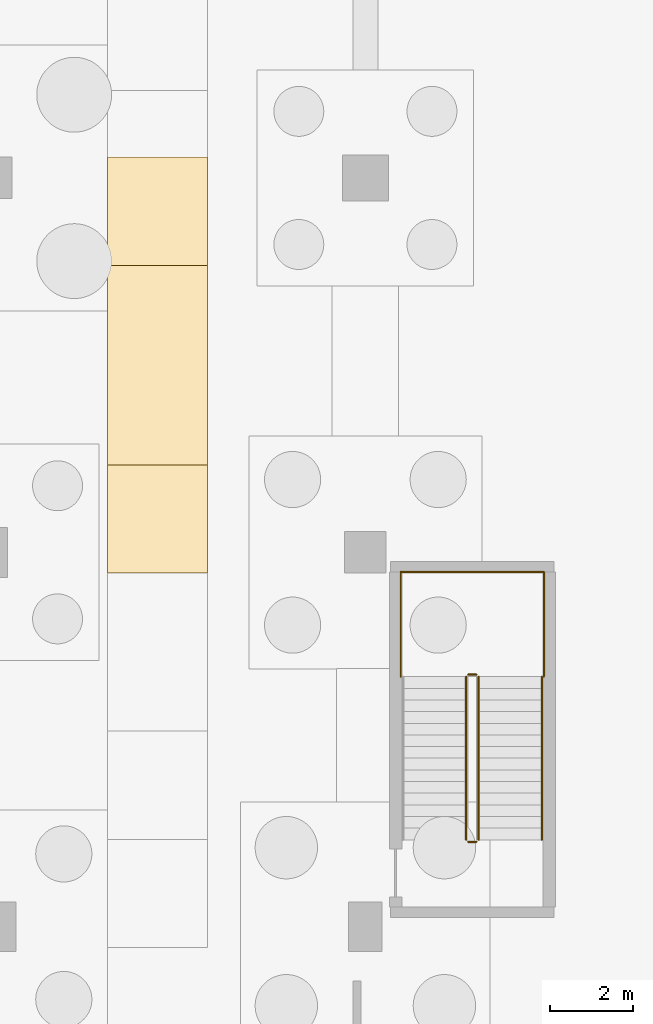
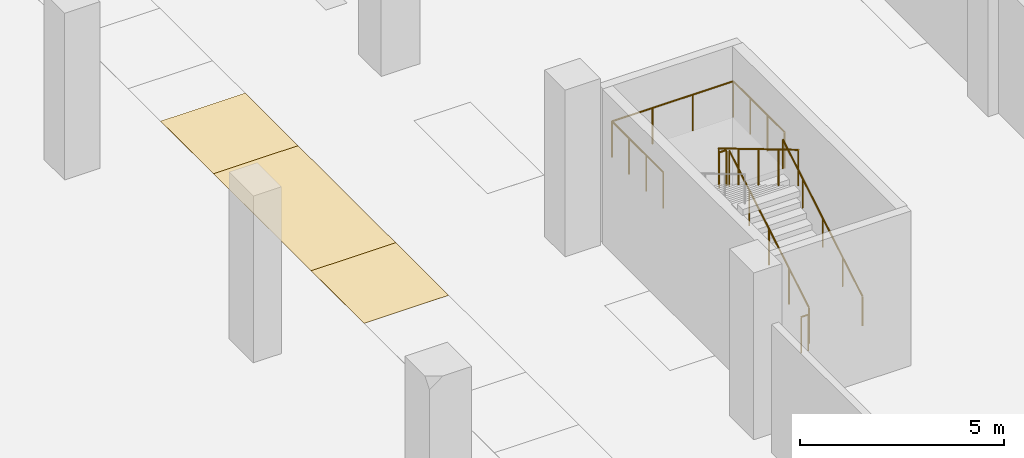
# One storey, part 28 of 37: 8 railings, 3 coverings.
"""IFC4 building model written with IfcOpenShell, lengths in metres."""

from ifc_helpers import new_model, si_unit, direction, frame, origin, origin_2d, place, context, subcontext, project, spatial, polyline, circle, outline, extrude, material, layer, layer_set, type_object, element, save


model = new_model("IFC4")

# Units and contexts
model_context = context("Model", 3, precision=1e-05, world=origin(), true_north=direction((0.0, 1.0)))
body_context = subcontext(model_context, "Body", "Model", "MODEL_VIEW")
ifc_project = project(units=[si_unit("LENGTHUNIT", "METRE"), si_unit("AREAUNIT", "SQUARE_METRE"), si_unit("VOLUMEUNIT", "CUBIC_METRE"), si_unit("PLANEANGLEUNIT", "RADIAN"), si_unit("MASSUNIT", "GRAM", prefix="KILO")], contexts=[model_context])

# Site, building, storey
site_placement = place(None, origin())
site = spatial("IfcSite", under=ifc_project, at=site_placement, CompositionType="ELEMENT")
building_placement = place(site_placement, origin())
building = spatial("IfcBuilding", under=site, at=building_placement, Name="Barlavento Convention Centre", CompositionType="ELEMENT")
storey_placement = place(building_placement, frame((0.0, 0.0, -5.0)))
storey = spatial("IfcBuildingStorey", under=building, at=storey_placement, Name="B1", CompositionType="ELEMENT", Elevation=-5.0)

# Coverings
ifc_material_1 = material(Name="Thermoplastic reflective bay marking")
ifc_layer = layer(ifc_material_1, 0.0048828125)
ifc_layer_set = layer_set([ifc_layer], Name="ARC-COV-PARK-BAY")
covering_type = type_object("IfcCoveringType", Name="ARC-COV-PARK-BAY", PredefinedType="FLOORING", material=ifc_layer_set)
covering_1_placement = place(storey_placement, origin())
element("IfcCovering", 1, at=covering_1_placement, inside=storey, type_object=covering_type, Name="Standard parking bay marking PK-008", PredefinedType="FLOORING", context=body_context, shape_type="SweptSolid", body=[
    extrude(outline(polyline([(173.800048828125, 17.5), (176.199951171875, 17.5), (176.199951171875, 22.300048828125), (173.800048828125, 22.300048828125), (173.800048828125, 17.5)])), origin(), (0.0, 0.0, 1.0), 0.0048828125),
])
covering_2_placement = place(storey_placement, origin())
element("IfcCovering", 2, at=covering_2_placement, inside=storey, type_object=covering_type, Name="Standard parking bay marking PK-010", PredefinedType="FLOORING", context=body_context, shape_type="SweptSolid", body=[
    extrude(outline(polyline([(173.800048828125, 20.10009765625), (176.199951171875, 20.10009765625), (176.199951171875, 24.89990234375), (173.800048828125, 24.89990234375), (173.800048828125, 20.10009765625)])), origin(), (0.0, 0.0, 1.0), 0.0048828125),
])
covering_3_placement = place(storey_placement, origin())
element("IfcCovering", 3, at=covering_3_placement, inside=storey, type_object=covering_type, Name="Standard parking bay marking PK-012", PredefinedType="FLOORING", context=body_context, shape_type="SweptSolid", body=[
    extrude(outline(polyline([(173.800048828125, 22.699951171875), (176.199951171875, 22.699951171875), (176.199951171875, 27.5), (173.800048828125, 27.5), (173.800048828125, 22.699951171875)])), origin(), (0.0, 0.0, 1.0), 0.0048828125),
])

# Railings
ifc_material_2 = material(Name="Stainless steel and laminated glass balustrade", Category="steel")
railing_type_1 = type_object("IfcRailingType", Name="ARC-RAL-BAL-1100", PredefinedType="BALUSTRADE", material=ifc_material_2)
railing_1_placement = place(storey_placement, frame((182.719970703125, 11.090087890625, 0.166748046875)))
element("IfcRailing", 4, at=railing_1_placement, inside=storey, type_object=railing_type_1, Name="B1 ST14 stair guard 1", PredefinedType="BALUSTRADE", context=body_context, shape_type="SweptSolid", body=[
    extrude(circle(Radius=0.02392578125, at=origin_2d()), frame((0.0, 0.0, 1.076171875), z_axis=(0.0, 0.859296244711, 0.511478214419), x_axis=(-1.0, 0.0, 0.0)), (0.0, 0.0, 1.0), 4.561767578125),
    extrude(circle(Radius=0.02099609375, at=origin_2d()), origin(), (0.0, 0.0, 1.0), 1.052001953125),
    extrude(circle(Radius=0.02099609375, at=origin_2d()), frame((0.0, 0.97998046875, 0.583251953125)), (0.0, 0.0, 1.0), 1.052001953125),
    extrude(circle(Radius=0.02099609375, at=origin_2d()), frame((0.0, 1.9599609375, 1.16650390625)), (0.0, 0.0, 1.0), 1.052001953125),
    extrude(circle(Radius=0.02099609375, at=origin_2d()), frame((0.0, 2.93994140625, 1.75)), (0.0, 0.0, 1.0), 1.052001953125),
    extrude(circle(Radius=0.02099609375, at=origin_2d()), frame((0.0, 3.919921875, 2.333251953125)), (0.0, 0.0, 1.0), 1.052001953125),
])
railing_2_placement = place(storey_placement, frame((182.669921875, 15.06005859375, 2.5)))
element("IfcRailing", 5, at=railing_2_placement, inside=storey, type_object=railing_type_1, Name="B1 ST14 stair guard 2", PredefinedType="BALUSTRADE", context=body_context, shape_type="SweptSolid", body=[
    extrude(circle(Radius=0.02392578125, at=origin_2d()), frame((0.0, 0.0, 1.076171875), z_axis=(-1.0, 0.0, 0.0), x_axis=(0.0, -1.0, 0.0)), (0.0, 0.0, 1.0), 0.199951171875),
    extrude(circle(Radius=0.02099609375, at=origin_2d()), origin(), (0.0, 0.0, 1.0), 1.052001953125),
    extrude(circle(Radius=0.02099609375, at=origin_2d()), frame((-0.199951171875, 0.0, 0.0)), (0.0, 0.0, 1.0), 1.052001953125),
])
railing_3_placement = place(storey_placement, frame((182.419921875, 15.010009765625, 2.666748046875)))
element("IfcRailing", 6, at=railing_3_placement, inside=storey, type_object=railing_type_1, Name="B1 ST14 stair guard 3", PredefinedType="BALUSTRADE", context=body_context, shape_type="SweptSolid", body=[
    extrude(circle(Radius=0.02392578125, at=origin_2d()), frame((0.0, 0.0, 1.076171875), z_axis=(0.0, -0.859296244711, 0.511478214419), x_axis=(1.0, 0.0, 0.0)), (0.0, 0.0, 1.0), 4.561767578125),
    extrude(circle(Radius=0.02099609375, at=origin_2d()), origin(), (0.0, 0.0, 1.0), 1.052001953125),
    extrude(circle(Radius=0.02099609375, at=origin_2d()), frame((0.0, -0.97998046875, 0.583251953125)), (0.0, 0.0, 1.0), 1.052001953125),
    extrude(circle(Radius=0.02099609375, at=origin_2d()), frame((0.0, -1.9599609375, 1.16650390625)), (0.0, 0.0, 1.0), 1.052001953125),
    extrude(circle(Radius=0.02099609375, at=origin_2d()), frame((0.0, -2.93994140625, 1.75)), (0.0, 0.0, 1.0), 1.052001953125),
    extrude(circle(Radius=0.02099609375, at=origin_2d()), frame((0.0, -3.919921875, 2.333251953125)), (0.0, 0.0, 1.0), 1.052001953125),
])
railing_4_placement = place(storey_placement, frame((182.669921875, 11.0400390625, 0.0)))
element("IfcRailing", 7, at=railing_4_placement, inside=storey, type_object=railing_type_1, Name="B1 ST14 stair guard 4", PredefinedType="BALUSTRADE", context=body_context, shape_type="SweptSolid", body=[
    extrude(circle(Radius=0.02392578125, at=origin_2d()), frame((0.0, 0.0, 1.076171875), z_axis=(-1.0, 0.0, 0.0), x_axis=(0.0, -1.0, 0.0)), (0.0, 0.0, 1.0), 0.199951171875),
    extrude(circle(Radius=0.02099609375, at=origin_2d()), origin(), (0.0, 0.0, 1.0), 1.052001953125),
    extrude(circle(Radius=0.02099609375, at=origin_2d()), frame((-0.199951171875, 0.0, 0.0)), (0.0, 0.0, 1.0), 1.052001953125),
])
for number, where, name in (
    (8, (184.2900390625, 15.010009765625, 2.5), "B1 landing guard GR01"),
    (9, (180.85009765625, 15.010009765625, 2.5), "B1 landing guard GR01"),
):
    element("IfcRailing", number, at=place(storey_placement, frame(where)), inside=storey, type_object=railing_type_1, Name=name, PredefinedType="BALUSTRADE", context=body_context, shape_type="SweptSolid", body=[
        extrude(circle(Radius=0.02392578125, at=origin_2d()), frame((0.0, 0.0, 1.076171875), z_axis=(0.0, 1.0, 0.0), x_axis=(-1.0, 0.0, 0.0)), (0.0, 0.0, 1.0), 2.52001953125),
        extrude(circle(Radius=0.02099609375, at=origin_2d()), origin(), (0.0, 0.0, 1.0), 1.052001953125),
        extrude(circle(Radius=0.02099609375, at=origin_2d()), frame((0.0, 0.840087890625, 0.0)), (0.0, 0.0, 1.0), 1.052001953125),
        extrude(circle(Radius=0.02099609375, at=origin_2d()), frame((0.0, 1.679931640625, 0.0)), (0.0, 0.0, 1.0), 1.052001953125),
        extrude(circle(Radius=0.02099609375, at=origin_2d()), frame((0.0, 2.52001953125, 0.0)), (0.0, 0.0, 1.0), 1.052001953125),
    ])
railing_5_placement = place(storey_placement, frame((184.2900390625, 17.530029296875, 2.5)))
element("IfcRailing", 10, at=railing_5_placement, inside=storey, type_object=railing_type_1, Name="B1 landing guard GR01", PredefinedType="BALUSTRADE", context=body_context, shape_type="SweptSolid", body=[
    extrude(circle(Radius=0.02392578125, at=origin_2d()), frame((0.0, 0.0, 1.076171875), z_axis=(-1.0, 0.0, 0.0), x_axis=(0.0, -1.0, 0.0)), (0.0, 0.0, 1.0), 3.43994140625),
    extrude(circle(Radius=0.02099609375, at=origin_2d()), origin(), (0.0, 0.0, 1.0), 1.052001953125),
    extrude(circle(Radius=0.02099609375, at=origin_2d()), frame((-1.146728515625, 0.0, 0.0)), (0.0, 0.0, 1.0), 1.052001953125),
    extrude(circle(Radius=0.02099609375, at=origin_2d()), frame((-2.293212890625, 0.0, 0.0)), (0.0, 0.0, 1.0), 1.052001953125),
    extrude(circle(Radius=0.02099609375, at=origin_2d()), frame((-3.43994140625, 0.0, 0.0)), (0.0, 0.0, 1.0), 1.052001953125),
])
ifc_material_3 = material(Name="Brushed stainless steel tubular handrail", Category="steel")
railing_type_2 = type_object("IfcRailingType", Name="ARC-RAL-HR-900", PredefinedType="HANDRAIL", material=ifc_material_3)
railing_6_placement = place(storey_placement, frame((184.239990234375, 11.090087890625, 0.166748046875)))
element("IfcRailing", 11, at=railing_6_placement, inside=storey, type_object=railing_type_2, Name="B1 ST14 stair handrail 1", PredefinedType="HANDRAIL", context=body_context, shape_type="SweptSolid", body=[
    extrude(circle(Radius=0.02392578125, at=origin_2d()), frame((0.0, 0.0, 0.8759765625), z_axis=(0.0, 0.859296244711, 0.511478214419), x_axis=(-1.0, 0.0, 0.0)), (0.0, 0.0, 1.0), 4.561767578125),
    extrude(circle(Radius=0.02099609375, at=origin_2d()), origin(), (0.0, 0.0, 1.0), 0.851806640625),
    extrude(circle(Radius=0.02099609375, at=origin_2d()), frame((0.0, 0.97998046875, 0.583251953125)), (0.0, 0.0, 1.0), 0.851806640625),
    extrude(circle(Radius=0.02099609375, at=origin_2d()), frame((0.0, 1.9599609375, 1.16650390625)), (0.0, 0.0, 1.0), 0.851806640625),
    extrude(circle(Radius=0.02099609375, at=origin_2d()), frame((0.0, 2.93994140625, 1.75)), (0.0, 0.0, 1.0), 0.851806640625),
    extrude(circle(Radius=0.02099609375, at=origin_2d()), frame((0.0, 3.919921875, 2.333251953125)), (0.0, 0.0, 1.0), 0.851806640625),
])

save(model, "model.ifc")
